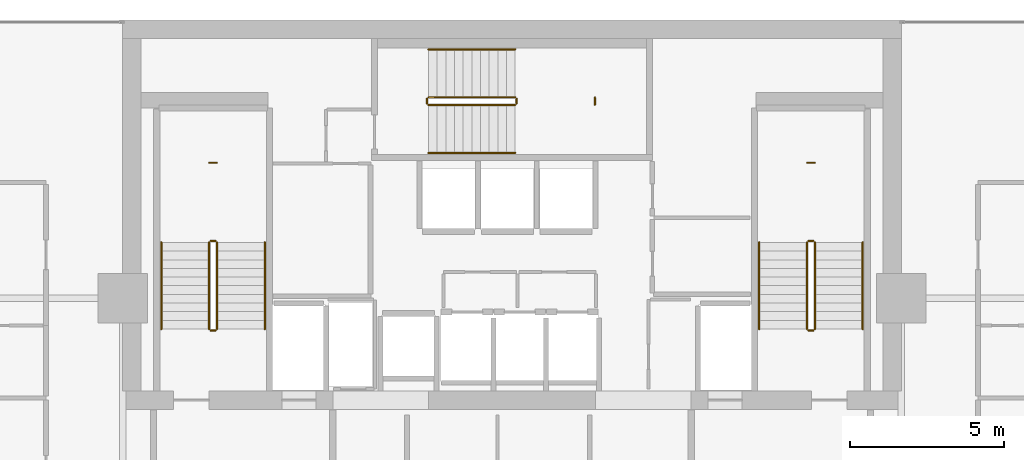
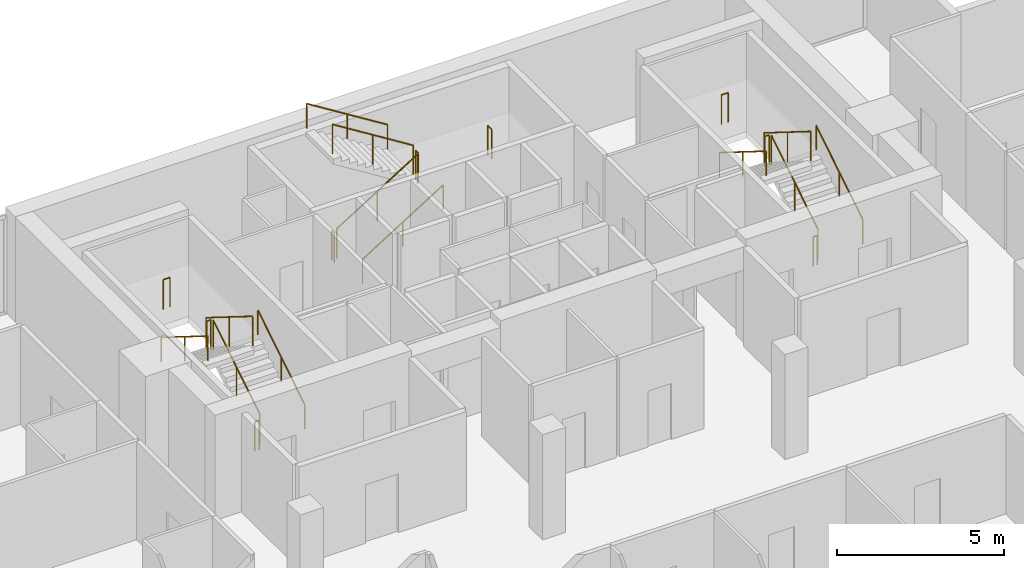
# One storey, part 26 of 26: 21 railings.
"""IFC4 building model written with IfcOpenShell, lengths in metres."""

import ifcopenshell
import ifcopenshell.guid

model = None  # the IFC model being written
_history = None  # IfcOwnerHistory: only IFC2X3 demands one
_inside = {}  # id of a spatial element -> (the spatial element, [elements in it])
_under = {}  # id of a project, library or spatial element -> (it, [spatial elements below it])
_declared = {}  # id of a project -> (the project, [libraries it declares])
_typed = {}  # id of a type object -> (the type object, [elements of that type])
_made_of = {}  # id of a material, layer set ... -> (it, [elements and type objects made of it])


def new_model(schema):
    """Start an empty IFC model of exactly this schema.

    Asked for "IFC4X3", IfcOpenShell would pick the latest addendum, in which some entities
    have other attributes; the version numbers below select the first issue.
    IFC2X3 requires an IfcOwnerHistory on every rooted entity: one is made here for all.
    """
    global model, _history
    if schema == "IFC4X3":
        model = ifcopenshell.file(schema_version=(4, 3, 0, 0))
    else:
        model = ifcopenshell.file(schema=schema)
    _inside.clear()
    _under.clear()
    _declared.clear()
    _typed.clear()
    _made_of.clear()
    _history = None
    if model.schema == "IFC2X3":
        org = make("IfcOrganization", Name="unknown")
        user = make(
            "IfcPersonAndOrganization",
            ThePerson=make("IfcPerson", FamilyName="unknown"),
            TheOrganization=org,
        )
        app = make(
            "IfcApplication",
            ApplicationDeveloper=org,
            Version="unknown",
            ApplicationFullName="unknown",
            ApplicationIdentifier="unknown",
        )
        _history = make(
            "IfcOwnerHistory",
            OwningUser=user,
            OwningApplication=app,
            ChangeAction="ADDED",
            CreationDate=0,
        )
    return model


def make(cls, **values):
    """One entity of the class cls with the attributes given. An attribute that is None is left unset."""
    return model.create_entity(
        cls, **{name: value for name, value in values.items() if value is not None}
    )


def rooted(cls, **values):
    """An entity with a GlobalId (a new one), such as an element, a storey or a relation."""
    return make(cls, GlobalId=ifcopenshell.guid.new(), OwnerHistory=_history, **values)


def si_unit(unit_type, name, prefix=None):
    """IfcSIUnit, for example si_unit("LENGTHUNIT", "METRE", prefix="MILLI")."""
    return make("IfcSIUnit", UnitType=unit_type, Prefix=prefix, Name=name)


def assignment(units):
    """IfcUnitAssignment: the units of a project."""
    return None if units is None else make("IfcUnitAssignment", Units=units)


def point(xyz):
    """IfcCartesianPoint."""
    return None if xyz is None else make("IfcCartesianPoint", Coordinates=xyz)


def direction(xyz):
    """IfcDirection."""
    return None if xyz is None else make("IfcDirection", DirectionRatios=xyz)


def frame(location, z_axis=None, x_axis=None):
    """IfcAxis2Placement3D, a coordinate frame: its origin and axes. An axis left out is left unset."""
    return make(
        "IfcAxis2Placement3D",
        Location=point(location),
        Axis=direction(z_axis),
        RefDirection=direction(x_axis),
    )


def frame_2d(location, x_axis=None):
    """IfcAxis2Placement2D, a coordinate frame in the plane: its origin and x axis."""
    return make(
        "IfcAxis2Placement2D", Location=point(location), RefDirection=direction(x_axis)
    )


def origin():
    """The frame at (0, 0, 0) with its axes left unset."""
    return frame((0.0, 0.0, 0.0))


def origin_2d():
    """The frame at (0, 0) in the plane with its x axis left unset."""
    return frame_2d((0.0, 0.0))


def place(relative_to, where):
    """IfcLocalPlacement: puts the frame where relative to a parent placement (None: the world)."""
    return make(
        "IfcLocalPlacement", PlacementRelTo=relative_to, RelativePlacement=where
    )


def context(
    kind, dimensions, precision=None, world=None, true_north=None, identifier=None
):
    """IfcGeometricRepresentationContext, for example the 3D "Model" context."""
    return make(
        "IfcGeometricRepresentationContext",
        ContextIdentifier=identifier,
        ContextType=kind,
        CoordinateSpaceDimension=dimensions,
        Precision=precision,
        WorldCoordinateSystem=world,
        TrueNorth=true_north,
    )


def subcontext(parent, identifier, kind, view, scale=None):
    """IfcGeometricRepresentationSubContext, for example "Body" below "Model"."""
    return make(
        "IfcGeometricRepresentationSubContext",
        ContextIdentifier=identifier,
        ContextType=kind,
        ParentContext=parent,
        TargetScale=scale,
        TargetView=view,
    )


def project(units=None, contexts=None):
    """IfcProject with its units and contexts."""
    return rooted(
        "IfcProject",
        Name="project",
        RepresentationContexts=contexts,
        UnitsInContext=assignment(units),
    )


def spatial(cls, under=None, at=None, **own):
    """A site, building, storey or space (cls), placed at a placement, below another one or the project."""
    s = rooted(cls, ObjectPlacement=at, **own)
    if under is not None:
        _under.setdefault(under.id(), (under, []))[1].append(s)
    return s


def profile(cls, at=None, kind="AREA", **sizes):
    """A parametric profile (cls). Its sizes go by their IFC names, for example OverallWidth=200.0."""
    return make(cls, ProfileType=kind, Position=at, **sizes)


def circle(**sizes):
    """IfcCircleProfileDef."""
    return profile("IfcCircleProfileDef", **sizes)


def extrude(swept, where, along, depth):
    """IfcExtrudedAreaSolid: the profile swept, set in the frame where, extruded along a direction by depth."""
    return make(
        "IfcExtrudedAreaSolid",
        SweptArea=swept,
        Position=where,
        ExtrudedDirection=direction(along),
        Depth=depth,
    )


def shape(context_of_items, identifier, shape_type, items):
    """IfcShapeRepresentation: the items that make up one representation, for example the "Body"."""
    return make(
        "IfcShapeRepresentation",
        ContextOfItems=context_of_items,
        RepresentationIdentifier=identifier,
        RepresentationType=shape_type,
        Items=items,
    )


def material(Name=None, Category=None):
    """IfcMaterial."""
    return make("IfcMaterial", Name=Name, Category=Category)


def made_of(thing, what):
    """Note that an element or type object is made of a material, layer set ...; save() writes the relation."""
    if what is not None:
        _made_of.setdefault(what.id(), (what, []))[1].append(thing)
    return thing


def type_object(cls, material=None, **own):
    """A type object (cls), such as IfcWallType, which elements share."""
    return made_of(rooted(cls, **own), material)


def element(
    cls,
    number,
    at=None,
    inside=None,
    cuts=None,
    type_object=None,
    material=None,
    context=None,
    identifier="Body",
    shape_type=None,
    held_by="IfcProductDefinitionShape",
    body=None,
    shapes=None,
    **own,
):
    """One element of the class cls, such as IfcWall. Its Tag is "e" and its number.

    at: its placement. inside: the storey or other place that contains it. cuts: it is an
    opening in that element (IfcRelVoidsElement). A single representation is given by context,
    identifier, shape_type and body (its items); several are given by shapes. held_by: the class
    of the entity that holds the representations. save() writes the other relations.
    """
    e = rooted(cls, Tag="e%d" % number, ObjectPlacement=at, **own)
    if body is not None:
        shapes = [shape(context, identifier, shape_type, body)]
    if shapes is not None:
        e.Representation = make(held_by, Representations=shapes)
    if inside is not None:
        _inside.setdefault(inside.id(), (inside, []))[1].append(e)
    if cuts is not None:
        rooted(
            "IfcRelVoidsElement", RelatingBuildingElement=cuts, RelatedOpeningElement=e
        )
    if type_object is not None:
        _typed.setdefault(type_object.id(), (type_object, []))[1].append(e)
    return made_of(e, material)


def aggregate(whole, parts):
    """IfcRelAggregates: a whole, such as a stair, and the parts it consists of."""
    return rooted("IfcRelAggregates", RelatingObject=whole, RelatedObjects=parts)


def save(model, path):
    """Write the relations noted so far, then the file.

    IfcRelAggregates (storeys below a building ...), IfcRelContainedInSpatialStructure (elements
    in a storey), IfcRelDefinesByType, IfcRelAssociatesMaterial and IfcRelDeclares: one each for
    every whole, place, type object, material and project.
    """
    for whole, parts in _under.values():
        aggregate(whole, parts)
    for where, things in _inside.values():
        rooted(
            "IfcRelContainedInSpatialStructure",
            RelatedElements=things,
            RelatingStructure=where,
        )
    for kind, things in _typed.values():
        rooted("IfcRelDefinesByType", RelatedObjects=things, RelatingType=kind)
    for what, things in _made_of.values():
        rooted("IfcRelAssociatesMaterial", RelatedObjects=things, RelatingMaterial=what)
    for by, libraries in _declared.values():
        rooted("IfcRelDeclares", RelatingContext=by, RelatedDefinitions=libraries)
    model.write(path)


model = new_model("IFC4")

# Units and contexts
model_context = context("Model", 3, precision=1e-05, world=origin(), true_north=direction((0.0, 1.0)))
body_context = subcontext(model_context, "Body", "Model", "MODEL_VIEW")
ifc_project = project(units=[si_unit("LENGTHUNIT", "METRE"), si_unit("AREAUNIT", "SQUARE_METRE"), si_unit("VOLUMEUNIT", "CUBIC_METRE"), si_unit("PLANEANGLEUNIT", "RADIAN"), si_unit("MASSUNIT", "GRAM", prefix="KILO")], contexts=[model_context])

# Site, building, storey
site_placement = place(None, origin())
site = spatial("IfcSite", under=ifc_project, at=site_placement, CompositionType="ELEMENT")
building_placement = place(site_placement, origin())
building = spatial("IfcBuilding", under=site, at=building_placement, Name="Maruvema Waterfront Hotel and Observation Tower", CompositionType="ELEMENT")
storey_placement = place(building_placement, frame((0.0, 0.0, 266.35009765625)))
storey = spatial("IfcBuildingStorey", under=building, at=storey_placement, Name="L65", CompositionType="ELEMENT", Elevation=266.35009765625)

# Railings
ifc_material_1 = material(Name="Brushed stainless steel Grade 316", Category="steel")
railing_type_1 = type_object("IfcRailingType", Name="Ramp Continuous Wall Handrail 920 mm", PredefinedType="HANDRAIL", material=ifc_material_1)
railing_1_placement = place(storey_placement, frame((29.800048828125, 44.0, 0.1748046875)))
element("IfcRailing", 1, at=railing_1_placement, inside=storey, type_object=railing_type_1, Name="L65 ST-01 stair handrail 1", PredefinedType="HANDRAIL", context=body_context, shape_type="SweptSolid", body=[
    extrude(circle(Radius=0.02392578125, at=origin_2d()), frame((0.0, 0.0, 0.89599609375), z_axis=(0.0, 0.848002457836, 0.529992293815), x_axis=(-1.0, 0.0, 0.0)), (0.0, 0.0, 1.0), 3.302001953125),
    extrude(circle(Radius=0.02099609375, at=origin_2d()), origin(), (0.0, 0.0, 1.0), 0.871826171875),
    extrude(circle(Radius=0.02099609375, at=origin_2d()), frame((0.0, 1.39990234375, 0.875)), (0.0, 0.0, 1.0), 0.871826171875),
    extrude(circle(Radius=0.02099609375, at=origin_2d()), frame((0.0, 2.800048828125, 1.75)), (0.0, 0.0, 1.0), 0.871826171875),
])
railing_2_placement = place(storey_placement, frame((26.449951171875, 46.800048828125, 2.099853515625)))
element("IfcRailing", 2, at=railing_2_placement, inside=storey, type_object=railing_type_1, Name="L65 ST-01 stair handrail 2", PredefinedType="HANDRAIL", context=body_context, shape_type="SweptSolid", body=[
    extrude(circle(Radius=0.02392578125, at=origin_2d()), frame((0.0, 0.0, 0.89599609375), z_axis=(0.0, -0.848002457836, 0.529992293815), x_axis=(1.0, 0.0, 0.0)), (0.0, 0.0, 1.0), 3.302001953125),
    extrude(circle(Radius=0.02099609375, at=origin_2d()), origin(), (0.0, 0.0, 1.0), 0.871826171875),
    extrude(circle(Radius=0.02099609375, at=origin_2d()), frame((0.0, -1.39990234375, 0.875)), (0.0, 0.0, 1.0), 0.871826171875),
    extrude(circle(Radius=0.02099609375, at=origin_2d()), frame((0.0, -2.800048828125, 1.75)), (0.0, 0.0, 1.0), 0.871826171875),
])
railing_3_placement = place(storey_placement, frame((35.10009765625, 49.699951171875, 0.1748046875)))
element("IfcRailing", 3, at=railing_3_placement, inside=storey, type_object=railing_type_1, Name="L65 ST-02 stair handrail 1", PredefinedType="HANDRAIL", context=body_context, shape_type="SweptSolid", body=[
    extrude(circle(Radius=0.02392578125, at=origin_2d()), frame((0.0, 0.0, 0.89599609375), z_axis=(0.847981687118, 0.0, 0.530025526095), x_axis=(0.0, 1.0, 0.0)), (0.0, 0.0, 1.0), 3.3017578125),
    extrude(circle(Radius=0.02099609375, at=origin_2d()), origin(), (0.0, 0.0, 1.0), 0.871826171875),
    extrude(circle(Radius=0.02099609375, at=origin_2d()), frame((1.39990234375, 0.0, 0.875)), (0.0, 0.0, 1.0), 0.871826171875),
    extrude(circle(Radius=0.02099609375, at=origin_2d()), frame((2.7998046875, 0.0, 1.75)), (0.0, 0.0, 1.0), 0.871826171875),
])
railing_4_placement = place(storey_placement, frame((37.89990234375, 53.050048828125, 2.099853515625)))
element("IfcRailing", 4, at=railing_4_placement, inside=storey, type_object=railing_type_1, Name="L65 ST-02 stair handrail 2", PredefinedType="HANDRAIL", context=body_context, shape_type="SweptSolid", body=[
    extrude(circle(Radius=0.02392578125, at=origin_2d()), frame((0.0, 0.0, 0.89599609375), z_axis=(-0.847981687118, 0.0, 0.530025526095), x_axis=(0.0, -1.0, 0.0)), (0.0, 0.0, 1.0), 3.3017578125),
    extrude(circle(Radius=0.02099609375, at=origin_2d()), origin(), (0.0, 0.0, 1.0), 0.871826171875),
    extrude(circle(Radius=0.02099609375, at=origin_2d()), frame((-1.39990234375, 0.0, 0.875)), (0.0, 0.0, 1.0), 0.871826171875),
    extrude(circle(Radius=0.02099609375, at=origin_2d()), frame((-2.7998046875, 0.0, 1.75)), (0.0, 0.0, 1.0), 0.871826171875),
])
railing_5_placement = place(storey_placement, frame((49.14990234375, 44.0, 0.1748046875)))
element("IfcRailing", 5, at=railing_5_placement, inside=storey, type_object=railing_type_1, Name="L65 ST-03 stair handrail 1", PredefinedType="HANDRAIL", context=body_context, shape_type="SweptSolid", body=[
    extrude(circle(Radius=0.02392578125, at=origin_2d()), frame((0.0, 0.0, 0.89599609375), z_axis=(0.0, 0.848002457836, 0.529992293815), x_axis=(-1.0, 0.0, 0.0)), (0.0, 0.0, 1.0), 3.302001953125),
    extrude(circle(Radius=0.02099609375, at=origin_2d()), origin(), (0.0, 0.0, 1.0), 0.871826171875),
    extrude(circle(Radius=0.02099609375, at=origin_2d()), frame((0.0, 1.39990234375, 0.875)), (0.0, 0.0, 1.0), 0.871826171875),
    extrude(circle(Radius=0.02099609375, at=origin_2d()), frame((0.0, 2.800048828125, 1.75)), (0.0, 0.0, 1.0), 0.871826171875),
])
railing_6_placement = place(storey_placement, frame((45.800048828125, 46.800048828125, 2.099853515625)))
element("IfcRailing", 6, at=railing_6_placement, inside=storey, type_object=railing_type_1, Name="L65 ST-03 stair handrail 2", PredefinedType="HANDRAIL", context=body_context, shape_type="SweptSolid", body=[
    extrude(circle(Radius=0.02392578125, at=origin_2d()), frame((0.0, 0.0, 0.89599609375), z_axis=(0.0, -0.848002457836, 0.529992293815), x_axis=(1.0, 0.0, 0.0)), (0.0, 0.0, 1.0), 3.302001953125),
    extrude(circle(Radius=0.02099609375, at=origin_2d()), origin(), (0.0, 0.0, 1.0), 0.871826171875),
    extrude(circle(Radius=0.02099609375, at=origin_2d()), frame((0.0, -1.39990234375, 0.875)), (0.0, 0.0, 1.0), 0.871826171875),
    extrude(circle(Radius=0.02099609375, at=origin_2d()), frame((0.0, -2.800048828125, 1.75)), (0.0, 0.0, 1.0), 0.871826171875),
])
ifc_material_2 = material(Name="Brushed stainless steel Grade 316", Category="steel")
railing_type_2 = type_object("IfcRailingType", Name="Ramp and Terrace Guard Balustrade 1100 mm", PredefinedType="BALUSTRADE", material=ifc_material_2)
railing_7_placement = place(storey_placement, frame((28.25, 44.0, 0.1748046875)))
element("IfcRailing", 7, at=railing_7_placement, inside=storey, type_object=railing_type_2, Name="L65 ST-01 stair guard 1", PredefinedType="BALUSTRADE", context=body_context, shape_type="SweptSolid", body=[
    extrude(circle(Radius=0.02392578125, at=origin_2d()), frame((0.0, 0.0, 1.076171875), z_axis=(0.0, 0.848002457836, 0.529992293815), x_axis=(-1.0, 0.0, 0.0)), (0.0, 0.0, 1.0), 3.302001953125),
    extrude(circle(Radius=0.02099609375, at=origin_2d()), origin(), (0.0, 0.0, 1.0), 1.052001953125),
    extrude(circle(Radius=0.02099609375, at=origin_2d()), frame((0.0, 1.39990234375, 0.875)), (0.0, 0.0, 1.0), 1.052001953125),
    extrude(circle(Radius=0.02099609375, at=origin_2d()), frame((0.0, 2.800048828125, 1.75)), (0.0, 0.0, 1.0), 1.052001953125),
])
railing_8_placement = place(storey_placement, frame((28.199951171875, 46.85009765625, 1.9248046875)))
element("IfcRailing", 8, at=railing_8_placement, inside=storey, type_object=railing_type_2, Name="L65 ST-01 stair guard 2", PredefinedType="BALUSTRADE", context=body_context, shape_type="SweptSolid", body=[
    extrude(circle(Radius=0.02392578125, at=origin_2d()), frame((0.0, 0.0, 1.076171875), z_axis=(-1.0, 0.0, 0.0), x_axis=(0.0, -1.0, 0.0)), (0.0, 0.0, 1.0), 0.14990234375),
    extrude(circle(Radius=0.02099609375, at=origin_2d()), origin(), (0.0, 0.0, 1.0), 1.052001953125),
    extrude(circle(Radius=0.02099609375, at=origin_2d()), frame((-0.14990234375, 0.0, 0.0)), (0.0, 0.0, 1.0), 1.052001953125),
])
railing_9_placement = place(storey_placement, frame((28.0, 46.800048828125, 2.099853515625)))
element("IfcRailing", 9, at=railing_9_placement, inside=storey, type_object=railing_type_2, Name="L65 ST-01 stair guard 3", PredefinedType="BALUSTRADE", context=body_context, shape_type="SweptSolid", body=[
    extrude(circle(Radius=0.02392578125, at=origin_2d()), frame((0.0, 0.0, 1.076171875), z_axis=(0.0, -0.848002457836, 0.529992293815), x_axis=(1.0, 0.0, 0.0)), (0.0, 0.0, 1.0), 3.302001953125),
    extrude(circle(Radius=0.02099609375, at=origin_2d()), origin(), (0.0, 0.0, 1.0), 1.052001953125),
    extrude(circle(Radius=0.02099609375, at=origin_2d()), frame((0.0, -1.39990234375, 0.875)), (0.0, 0.0, 1.0), 1.052001953125),
    extrude(circle(Radius=0.02099609375, at=origin_2d()), frame((0.0, -2.800048828125, 1.75)), (0.0, 0.0, 1.0), 1.052001953125),
])
railing_10_placement = place(storey_placement, frame((28.199951171875, 43.949951171875, 0.0)))
element("IfcRailing", 10, at=railing_10_placement, inside=storey, type_object=railing_type_2, Name="L65 ST-01 stair guard 4", PredefinedType="BALUSTRADE", context=body_context, shape_type="SweptSolid", body=[
    extrude(circle(Radius=0.02392578125, at=origin_2d()), frame((0.0, 0.0, 1.076171875), z_axis=(-1.0, 0.0, 0.0), x_axis=(0.0, -1.0, 0.0)), (0.0, 0.0, 1.0), 0.14990234375),
    extrude(circle(Radius=0.02099609375, at=origin_2d()), origin(), (0.0, 0.0, 1.0), 1.052001953125),
    extrude(circle(Radius=0.02099609375, at=origin_2d()), frame((-0.14990234375, 0.0, 0.0)), (0.0, 0.0, 1.0), 1.052001953125),
])
railing_11_placement = place(storey_placement, frame((28.239990234375, 49.3798828125, 1.9248046875)))
element("IfcRailing", 11, at=railing_11_placement, inside=storey, type_object=railing_type_2, Name="L65 ST-01 Half-Landing Slot Guard", PredefinedType="BALUSTRADE", context=body_context, shape_type="SweptSolid", body=[
    extrude(circle(Radius=0.02392578125, at=origin_2d()), frame((0.0, 0.0, 1.076171875), z_axis=(-1.0, 0.0, 0.0), x_axis=(0.0, -1.0, 0.0)), (0.0, 0.0, 1.0), 0.22998046875),
    extrude(circle(Radius=0.02099609375, at=origin_2d()), origin(), (0.0, 0.0, 1.0), 1.052001953125),
    extrude(circle(Radius=0.02099609375, at=origin_2d()), frame((-0.22998046875, 0.0, 0.0)), (0.0, 0.0, 1.0), 1.052001953125),
])
railing_12_placement = place(storey_placement, frame((35.10009765625, 51.25, 0.1748046875)))
element("IfcRailing", 12, at=railing_12_placement, inside=storey, type_object=railing_type_2, Name="L65 ST-02 stair guard 1", PredefinedType="BALUSTRADE", context=body_context, shape_type="SweptSolid", body=[
    extrude(circle(Radius=0.02392578125, at=origin_2d()), frame((0.0, 0.0, 1.076171875), z_axis=(0.847981687118, 0.0, 0.530025526095), x_axis=(0.0, 1.0, 0.0)), (0.0, 0.0, 1.0), 3.3017578125),
    extrude(circle(Radius=0.02099609375, at=origin_2d()), origin(), (0.0, 0.0, 1.0), 1.052001953125),
    extrude(circle(Radius=0.02099609375, at=origin_2d()), frame((1.39990234375, 0.0, 0.875)), (0.0, 0.0, 1.0), 1.052001953125),
    extrude(circle(Radius=0.02099609375, at=origin_2d()), frame((2.7998046875, 0.0, 1.75)), (0.0, 0.0, 1.0), 1.052001953125),
])
railing_13_placement = place(storey_placement, frame((37.949951171875, 51.300048828125, 1.9248046875)))
element("IfcRailing", 13, at=railing_13_placement, inside=storey, type_object=railing_type_2, Name="L65 ST-02 stair guard 2", PredefinedType="BALUSTRADE", context=body_context, shape_type="SweptSolid", body=[
    extrude(circle(Radius=0.02392578125, at=origin_2d()), frame((0.0, 0.0, 1.076171875), z_axis=(0.0, 1.0, 0.0), x_axis=(-1.0, 0.0, 0.0)), (0.0, 0.0, 1.0), 0.14990234375),
    extrude(circle(Radius=0.02099609375, at=origin_2d()), origin(), (0.0, 0.0, 1.0), 1.052001953125),
    extrude(circle(Radius=0.02099609375, at=origin_2d()), frame((0.0, 0.14990234375, 0.0)), (0.0, 0.0, 1.0), 1.052001953125),
])
railing_14_placement = place(storey_placement, frame((37.89990234375, 51.5, 2.099853515625)))
element("IfcRailing", 14, at=railing_14_placement, inside=storey, type_object=railing_type_2, Name="L65 ST-02 stair guard 3", PredefinedType="BALUSTRADE", context=body_context, shape_type="SweptSolid", body=[
    extrude(circle(Radius=0.02392578125, at=origin_2d()), frame((0.0, 0.0, 1.076171875), z_axis=(-0.847981687118, 0.0, 0.530025526095), x_axis=(0.0, -1.0, 0.0)), (0.0, 0.0, 1.0), 3.3017578125),
    extrude(circle(Radius=0.02099609375, at=origin_2d()), origin(), (0.0, 0.0, 1.0), 1.052001953125),
    extrude(circle(Radius=0.02099609375, at=origin_2d()), frame((-1.39990234375, 0.0, 0.875)), (0.0, 0.0, 1.0), 1.052001953125),
    extrude(circle(Radius=0.02099609375, at=origin_2d()), frame((-2.7998046875, 0.0, 1.75)), (0.0, 0.0, 1.0), 1.052001953125),
])
railing_15_placement = place(storey_placement, frame((35.050048828125, 51.300048828125, 0.0)))
element("IfcRailing", 15, at=railing_15_placement, inside=storey, type_object=railing_type_2, Name="L65 ST-02 stair guard 4", PredefinedType="BALUSTRADE", context=body_context, shape_type="SweptSolid", body=[
    extrude(circle(Radius=0.02392578125, at=origin_2d()), frame((0.0, 0.0, 1.076171875), z_axis=(0.0, 1.0, 0.0), x_axis=(-1.0, 0.0, 0.0)), (0.0, 0.0, 1.0), 0.14990234375),
    extrude(circle(Radius=0.02099609375, at=origin_2d()), origin(), (0.0, 0.0, 1.0), 1.052001953125),
    extrude(circle(Radius=0.02099609375, at=origin_2d()), frame((0.0, 0.14990234375, 0.0)), (0.0, 0.0, 1.0), 1.052001953125),
])
railing_16_placement = place(storey_placement, frame((40.47998046875, 51.260009765625, 1.9248046875)))
element("IfcRailing", 16, at=railing_16_placement, inside=storey, type_object=railing_type_2, Name="L65 ST-02 Half-Landing Slot Guard", PredefinedType="BALUSTRADE", context=body_context, shape_type="SweptSolid", body=[
    extrude(circle(Radius=0.02392578125, at=origin_2d()), frame((0.0, 0.0, 1.076171875), z_axis=(0.0, 1.0, 0.0), x_axis=(-1.0, 0.0, 0.0)), (0.0, 0.0, 1.0), 0.22998046875),
    extrude(circle(Radius=0.02099609375, at=origin_2d()), origin(), (0.0, 0.0, 1.0), 1.052001953125),
    extrude(circle(Radius=0.02099609375, at=origin_2d()), frame((0.0, 0.22998046875, 0.0)), (0.0, 0.0, 1.0), 1.052001953125),
])
railing_17_placement = place(storey_placement, frame((47.60009765625, 44.0, 0.1748046875)))
element("IfcRailing", 17, at=railing_17_placement, inside=storey, type_object=railing_type_2, Name="L65 ST-03 stair guard 1", PredefinedType="BALUSTRADE", context=body_context, shape_type="SweptSolid", body=[
    extrude(circle(Radius=0.02392578125, at=origin_2d()), frame((0.0, 0.0, 1.076171875), z_axis=(0.0, 0.848002457836, 0.529992293815), x_axis=(-1.0, 0.0, 0.0)), (0.0, 0.0, 1.0), 3.302001953125),
    extrude(circle(Radius=0.02099609375, at=origin_2d()), origin(), (0.0, 0.0, 1.0), 1.052001953125),
    extrude(circle(Radius=0.02099609375, at=origin_2d()), frame((0.0, 1.39990234375, 0.875)), (0.0, 0.0, 1.0), 1.052001953125),
    extrude(circle(Radius=0.02099609375, at=origin_2d()), frame((0.0, 2.800048828125, 1.75)), (0.0, 0.0, 1.0), 1.052001953125),
])
railing_18_placement = place(storey_placement, frame((47.550048828125, 46.85009765625, 1.9248046875)))
element("IfcRailing", 18, at=railing_18_placement, inside=storey, type_object=railing_type_2, Name="L65 ST-03 stair guard 2", PredefinedType="BALUSTRADE", context=body_context, shape_type="SweptSolid", body=[
    extrude(circle(Radius=0.02392578125, at=origin_2d()), frame((0.0, 0.0, 1.076171875), z_axis=(-1.0, 0.0, 0.0), x_axis=(0.0, -1.0, 0.0)), (0.0, 0.0, 1.0), 0.150146484375),
    extrude(circle(Radius=0.02099609375, at=origin_2d()), origin(), (0.0, 0.0, 1.0), 1.052001953125),
    extrude(circle(Radius=0.02099609375, at=origin_2d()), frame((-0.150146484375, 0.0, 0.0)), (0.0, 0.0, 1.0), 1.052001953125),
])
railing_19_placement = place(storey_placement, frame((47.35009765625, 46.800048828125, 2.099853515625)))
element("IfcRailing", 19, at=railing_19_placement, inside=storey, type_object=railing_type_2, Name="L65 ST-03 stair guard 3", PredefinedType="BALUSTRADE", context=body_context, shape_type="SweptSolid", body=[
    extrude(circle(Radius=0.02392578125, at=origin_2d()), frame((0.0, 0.0, 1.076171875), z_axis=(0.0, -0.848002457836, 0.529992293815), x_axis=(1.0, 0.0, 0.0)), (0.0, 0.0, 1.0), 3.302001953125),
    extrude(circle(Radius=0.02099609375, at=origin_2d()), origin(), (0.0, 0.0, 1.0), 1.052001953125),
    extrude(circle(Radius=0.02099609375, at=origin_2d()), frame((0.0, -1.39990234375, 0.875)), (0.0, 0.0, 1.0), 1.052001953125),
    extrude(circle(Radius=0.02099609375, at=origin_2d()), frame((0.0, -2.800048828125, 1.75)), (0.0, 0.0, 1.0), 1.052001953125),
])
railing_20_placement = place(storey_placement, frame((47.550048828125, 43.949951171875, 0.0)))
element("IfcRailing", 20, at=railing_20_placement, inside=storey, type_object=railing_type_2, Name="L65 ST-03 stair guard 4", PredefinedType="BALUSTRADE", context=body_context, shape_type="SweptSolid", body=[
    extrude(circle(Radius=0.02392578125, at=origin_2d()), frame((0.0, 0.0, 1.076171875), z_axis=(-1.0, 0.0, 0.0), x_axis=(0.0, -1.0, 0.0)), (0.0, 0.0, 1.0), 0.150146484375),
    extrude(circle(Radius=0.02099609375, at=origin_2d()), origin(), (0.0, 0.0, 1.0), 1.052001953125),
    extrude(circle(Radius=0.02099609375, at=origin_2d()), frame((-0.150146484375, 0.0, 0.0)), (0.0, 0.0, 1.0), 1.052001953125),
])
railing_21_placement = place(storey_placement, frame((47.590087890625, 49.3798828125, 1.9248046875)))
element("IfcRailing", 21, at=railing_21_placement, inside=storey, type_object=railing_type_2, Name="L65 ST-03 Half-Landing Slot Guard", PredefinedType="BALUSTRADE", context=body_context, shape_type="SweptSolid", body=[
    extrude(circle(Radius=0.02392578125, at=origin_2d()), frame((0.0, 0.0, 1.076171875), z_axis=(-1.0, 0.0, 0.0), x_axis=(0.0, -1.0, 0.0)), (0.0, 0.0, 1.0), 0.22998046875),
    extrude(circle(Radius=0.02099609375, at=origin_2d()), origin(), (0.0, 0.0, 1.0), 1.052001953125),
    extrude(circle(Radius=0.02099609375, at=origin_2d()), frame((-0.22998046875, 0.0, 0.0)), (0.0, 0.0, 1.0), 1.052001953125),
])

save(model, "model.ifc")
